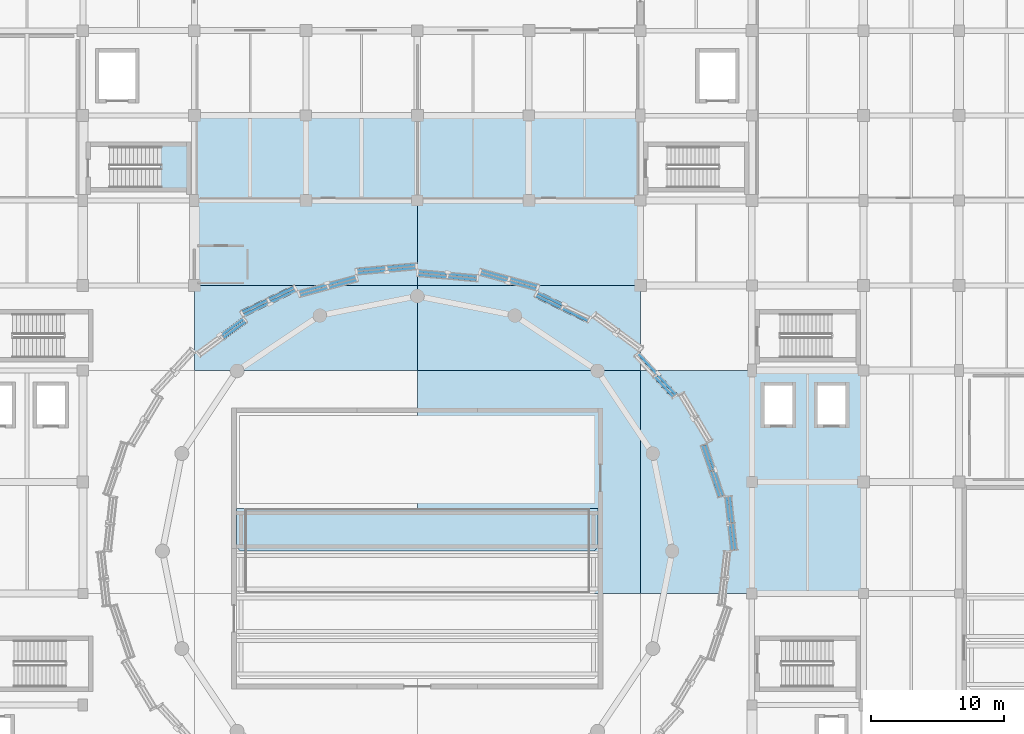
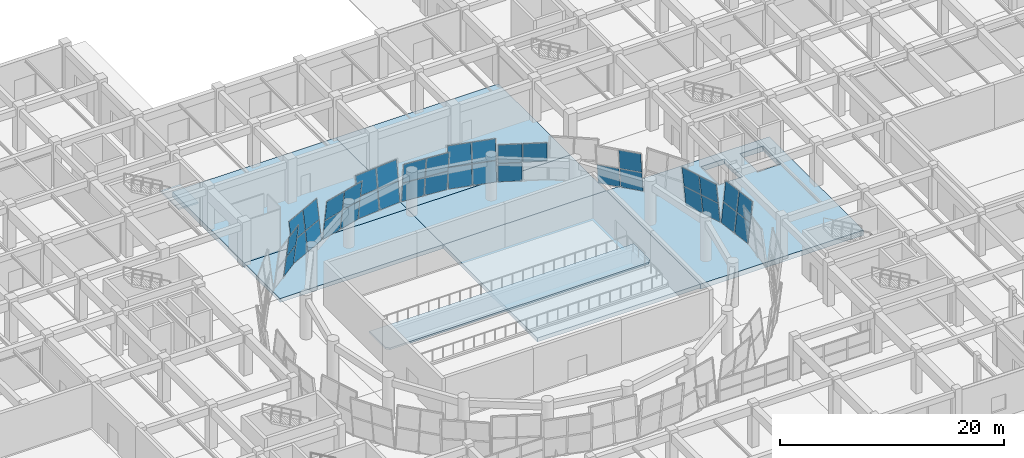
# One storey, part 43 of 72: 36 plates, 8 slabs, 11 elements without a shape of their own.
"""IFC4 building model written with IfcOpenShell, lengths in metres."""

from ifc_helpers import new_model, si_unit, direction, frame, origin, place, context, subcontext, project, spatial, polyline, outline, extrude, material, layer, layer_set, type_object, element, aggregate, save


model = new_model("IFC4")

# Units and contexts
model_context = context("Model", 3, precision=1e-05, world=origin(), true_north=direction((0.0, 1.0)))
body_context = subcontext(model_context, "Body", "Model", "MODEL_VIEW")
ifc_project = project(units=[si_unit("LENGTHUNIT", "METRE"), si_unit("AREAUNIT", "SQUARE_METRE"), si_unit("VOLUMEUNIT", "CUBIC_METRE"), si_unit("PLANEANGLEUNIT", "RADIAN"), si_unit("MASSUNIT", "GRAM", prefix="KILO")], contexts=[model_context])

# Site, building, storey
site_placement = place(None, origin())
site = spatial("IfcSite", under=ifc_project, at=site_placement, CompositionType="ELEMENT")
building_placement = place(site_placement, origin())
building = spatial("IfcBuilding", under=site, at=building_placement, Name="Korsvaeld Concert Hall", CompositionType="ELEMENT")
storey_placement = place(building_placement, origin())
storey = spatial("IfcBuildingStorey", under=building, at=storey_placement, Name="L00", CompositionType="ELEMENT", Elevation=0.0)

# Curtain wall, plates
ifc_material_1 = material(Name="Anodised bronze and ceramic-fritted safety glass", Category="glass")
curtain_wall_type_1 = type_object("IfcCurtainWallType", Name="CW-TYPE-01", PredefinedType="USERDEFINED", material=ifc_material_1)
curtain_wall_1_placement = place(storey_placement, origin())
curtain_wall_1 = element("IfcCurtainWall", 1, at=curtain_wall_1_placement, inside=storey, type_object=curtain_wall_type_1, Name="Crystal curtain-wall facet L00 F01", ObjectType="CURTAIN WALL", PredefinedType="USERDEFINED")
ifc_material_2 = material(Name="Translucent ceramic-fritted crystal safety glass", Category="glass")
ifc_layer_1 = layer(ifc_material_2, 0.035888671875)
ifc_layer_set_1 = layer_set([ifc_layer_1], Name="Translucent ceramic-fritted crystal safety glass")
plate_type = type_object("IfcPlateType", Name="CWP-CRYSTAL-36", PredefinedType="CURTAIN_PANEL", material=ifc_layer_set_1)
plate_1_placement = place(storey_placement, frame((107.5986328125, 63.275146484375, 0.06005859375), z_axis=(0.987654789516, 0.108287642133, -0.113189236708), x_axis=(-0.108988930989, 0.994042963288, -7.69527e-06)))
plate_1 = element("IfcPlate", 2, at=plate_1_placement, type_object=plate_type, Name="CW-CRYS-L00-F01 ceramic-fritted crystal panel 1.1", PredefinedType="CURTAIN_PANEL", context=body_context, shape_type="SweptSolid", body=[
    extrude(outline(polyline([(0.0, 0.0), (1.9677913799325863, 0.0), (1.9627652881831774, 2.1638233711032178), (-0.005242169394013348, 2.1637928881673916), (0.0, 0.0)])), frame((0.0, 0.0, 0.01806640625)), (0.0, 0.0, -1.0), 0.035888671875),
])
plate_2_placement = place(storey_placement, frame((107.849365234375, 63.29736328125, 2.27001953125), z_axis=(0.987654789516, 0.108287642133, -0.113189236708), x_axis=(-0.108987360322, 0.994043135509, 6.174649e-06)))
plate_2 = element("IfcPlate", 3, at=plate_2_placement, type_object=plate_type, Name="CW-CRYS-L00-F01 ceramic-fritted crystal panel 1.2", PredefinedType="CURTAIN_PANEL", context=body_context, shape_type="SweptSolid", body=[
    extrude(outline(polyline([(0.0, 0.0), (1.9677647714985873, 3.469446951953614e-18), (1.9627954941679095, 2.1637959714130712), (-0.005238571885323814, 2.163820430777011), (0.0, 0.0)])), frame((0.0, 0.0, 0.01806640625)), (0.0, 0.0, -1.0), 0.035888671875),
])
plate_3_placement = place(storey_placement, frame((107.3759765625, 65.305908203125, 0.06005859375), z_axis=(0.987654746524, 0.10829439526, -0.113183150799), x_axis=(-0.108995565552, 0.994042235844, -6.934544e-06)))
plate_3 = element("IfcPlate", 4, at=plate_3_placement, type_object=plate_type, Name="CW-CRYS-L00-F01 ceramic-fritted crystal panel 2.1", PredefinedType="CURTAIN_PANEL", context=body_context, shape_type="SweptSolid", body=[
    extrude(outline(polyline([(0.0, 0.0), (1.9677913807868734, 3.469446951953614e-18), (1.9625226028582143, 2.1638203567417276), (-0.005242167683163164, 2.1637928889484397), (0.0, 0.0)])), frame((0.0, 0.0, 0.01806640625)), (0.0, 0.0, -1.0), 0.035888671875),
])
plate_4_placement = place(storey_placement, frame((107.626708984375, 65.328125, 2.27001953125), z_axis=(0.987654746524, 0.10829439526, -0.113183150799), x_axis=(-0.108993995054, 0.994042408046, 6.934638e-06)))
plate_4 = element("IfcPlate", 5, at=plate_4_placement, type_object=plate_type, Name="CW-CRYS-L00-F01 ceramic-fritted crystal panel 2.2", PredefinedType="CURTAIN_PANEL", context=body_context, shape_type="SweptSolid", body=[
    extrude(outline(polyline([(0.0, 0.0), (1.9677647707330874, 0.0), (1.9625528071767997, 2.1637929619124243), (-0.005238573418361289, 2.1638204300771586), (0.0, 0.0)])), frame((0.0, 0.0, 0.01806640625)), (0.0, 0.0, -1.0), 0.035888671875),
])
aggregate(curtain_wall_1, [plate_1, plate_2, plate_3, plate_4])

curtain_wall_type_2 = type_object("IfcCurtainWallType", Name="CW-TYPE-02", PredefinedType="USERDEFINED", material=ifc_material_1)
curtain_wall_2_placement = place(storey_placement, origin())
curtain_wall_2 = element("IfcCurtainWall", 6, at=curtain_wall_2_placement, inside=storey, type_object=curtain_wall_type_2, Name="Crystal curtain-wall facet L00 F02", ObjectType="CURTAIN WALL", PredefinedType="USERDEFINED")
plate_5_placement = place(storey_placement, frame((107.115966796875, 67.4052734375, 0.06005859375), z_axis=(0.94136511925, 0.317900026649, 0.113010111568), x_axis=(-0.319949676143, 0.947434538497, 0.0)))
plate_5 = element("IfcPlate", 7, at=plate_5_placement, type_object=plate_type, Name="CW-CRYS-L00-F02 ceramic-fritted crystal panel 1.1", PredefinedType="CURTAIN_PANEL", context=body_context, shape_type="SweptSolid", body=[
    extrude(outline(polyline([(0.0, 0.0), (1.9862437572585203, 0.0), (2.000791747576604, 2.163763765208145), (0.014547990318083723, 2.163763765208145), (0.0, 0.0)])), frame((0.0, 0.0, 0.01806640625)), (0.0, 0.0, -1.0), 0.035888671875),
])
plate_6_placement = place(storey_placement, frame((106.873046875, 67.3388671875, 2.27001953125), z_axis=(0.941373275649, 0.317882160799, 0.11299242337), x_axis=(-0.319930809544, 0.947440909556, -2.207204e-06)))
plate_6 = element("IfcPlate", 8, at=plate_6_placement, type_object=plate_type, Name="CW-CRYS-L00-F02 ceramic-fritted crystal panel 1.2", PredefinedType="CURTAIN_PANEL", context=body_context, shape_type="SweptSolid", body=[
    extrude(outline(polyline([(0.0, 0.0), (1.9864750656756802, 1.3877787807814457e-17), (2.0010134413787024, 2.1637638294823662), (0.014769684518831823, 2.163755004365257), (0.0, 0.0)])), frame((0.0, 0.0, 0.01806640625)), (0.0, 0.0, -1.0), 0.035888671875),
])
plate_7_placement = place(storey_placement, frame((106.45654296875, 69.358154296875, 0.06005859375), z_axis=(0.94136511925, 0.317900026649, 0.113010111568), x_axis=(-0.319949676143, 0.947434538497, 0.0)))
plate_7 = element("IfcPlate", 9, at=plate_7_placement, type_object=plate_type, Name="CW-CRYS-L00-F02 ceramic-fritted crystal panel 2.1", PredefinedType="CURTAIN_PANEL", context=body_context, shape_type="SweptSolid", body=[
    extrude(outline(polyline([(0.0, 0.0), (1.9862437572585203, 0.0), (2.000791747576604, 2.163763765208145), (0.014547990318083723, 2.163763765208145), (0.0, 0.0)])), frame((0.0, 0.0, 0.01806640625)), (0.0, 0.0, -1.0), 0.035888671875),
])
plate_8_placement = place(storey_placement, frame((106.213623046875, 69.2919921875, 2.27001953125), z_axis=(0.941377899081, 0.317843277421, 0.113063266012), x_axis=(-0.319895213183, 0.947452928931, 6.541284e-06)))
plate_8 = element("IfcPlate", 10, at=plate_8_placement, type_object=plate_type, Name="CW-CRYS-L00-F02 ceramic-fritted crystal panel 2.2", PredefinedType="CURTAIN_PANEL", context=body_context, shape_type="SweptSolid", body=[
    extrude(outline(polyline([(0.0, 0.0), (1.9862437539343323, -1.3877787807814457e-17), (2.00079175092514, 2.163763762111817), (0.014626096408088166, 2.163789914466171), (0.0, 0.0)])), frame((0.0, 0.0, 0.01806640625)), (0.0, 0.0, -1.0), 0.035888671875),
])
aggregate(curtain_wall_2, [plate_5, plate_6, plate_7, plate_8])

curtain_wall_type_3 = type_object("IfcCurtainWallType", Name="CW-TYPE-04", PredefinedType="USERDEFINED", material=ifc_material_1)
curtain_wall_3_placement = place(storey_placement, origin())
curtain_wall_3 = element("IfcCurtainWall", 11, at=curtain_wall_3_placement, inside=storey, type_object=curtain_wall_type_3, Name="Crystal curtain-wall facet L00 F04", ObjectType="CURTAIN WALL", PredefinedType="USERDEFINED")
plate_9_placement = place(storey_placement, frame((103.566650390625, 75.029296875, 0.06005859375), z_axis=(0.733606802617, 0.670175298489, 0.112632714827), x_axis=(-0.674466768313, 0.738305206823, -4.465704e-06)))
plate_9 = element("IfcPlate", 12, at=plate_9_placement, type_object=plate_type, Name="CW-CRYS-L00-F04 ceramic-fritted crystal panel 1.1", PredefinedType="CURTAIN_PANEL", context=body_context, shape_type="SweptSolid", body=[
    extrude(outline(polyline([(0.0, 0.0), (2.0633508471576176, -2.7755575615628914e-17), (2.0889611793207092, 2.1636798381832705), (0.025790582457725728, 2.1636612923465752), (0.0, 0.0)])), frame((0.0, 0.0, 0.01806640625)), (0.0, 0.0, -1.0), 0.035888671875),
])
plate_10_placement = place(storey_placement, frame((103.364013671875, 74.8798828125, 2.27001953125), z_axis=(0.733606802617, 0.670175298489, 0.112632714827), x_axis=(-0.674466768313, 0.738305206823, -4.465704e-06)))
plate_10 = element("IfcPlate", 13, at=plate_10_placement, type_object=plate_type, Name="CW-CRYS-L00-F04 ceramic-fritted crystal panel 1.2", PredefinedType="CURTAIN_PANEL", context=body_context, shape_type="SweptSolid", body=[
    extrude(outline(polyline([(0.0, 0.0), (2.0633508471576176, -2.7755575615628914e-17), (2.0889611793207092, 2.1636798381832705), (0.025790582457725728, 2.1636612923465752), (0.0, 0.0)])), frame((0.0, 0.0, 0.01806640625)), (0.0, 0.0, -1.0), 0.035888671875),
])
plate_11_placement = place(storey_placement, frame((102.12451171875, 76.60791015625, 0.06005859375), z_axis=(0.733581012986, 0.670210524004, 0.112591078246), x_axis=(-0.674499425261, 0.738275372285, 4.22079e-07)))
plate_11 = element("IfcPlate", 14, at=plate_11_placement, type_object=plate_type, Name="CW-CRYS-L00-F04 ceramic-fritted crystal panel 2.1", PredefinedType="CURTAIN_PANEL", context=body_context, shape_type="SweptSolid", body=[
    extrude(outline(polyline([(0.0, 0.0), (2.0635155142750765, 0.0), (2.088982465234002, 2.1636592871370994), (0.025811866680982305, 2.16366104006926), (0.0, 0.0)])), frame((0.0, 0.0, 0.01806640625)), (0.0, 0.0, -1.0), 0.035888671875),
])
aggregate(curtain_wall_3, [plate_9, plate_10, plate_11])

curtain_wall_type_4 = type_object("IfcCurtainWallType", Name="CW-TYPE-06", PredefinedType="USERDEFINED", material=ifc_material_1)
curtain_wall_4_placement = place(storey_placement, origin())
curtain_wall_4 = element("IfcCurtainWall", 15, at=curtain_wall_4_placement, inside=storey, type_object=curtain_wall_type_4, Name="Crystal curtain-wall facet L00 F06", ObjectType="CURTAIN WALL", PredefinedType="USERDEFINED")
plate_12_placement = place(storey_placement, frame((96.91162109375, 80.637451171875, 2.27001953125), z_axis=(0.430001820509, 0.895761924624, 0.11273423949), x_axis=(-0.901508884705, 0.432760592935, 0.0)))
plate_12 = element("IfcPlate", 16, at=plate_12_placement, type_object=plate_type, Name="CW-CRYS-L00-F06 ceramic-fritted crystal panel 1.2", PredefinedType="CURTAIN_PANEL", context=body_context, shape_type="SweptSolid", body=[
    extrude(outline(polyline([(0.0, 0.0), (2.1505286703400395, 0.0), (2.1723632471818055, 2.1636955209431075), (0.021834576841765874, 2.1636955209431075), (0.0, 0.0)])), frame((0.0, 0.0, 0.01806640625)), (0.0, 0.0, -1.0), 0.035888671875),
])
plate_13_placement = place(storey_placement, frame((95.0341796875, 81.817138671875, 0.06005859375), z_axis=(0.430045165703, 0.895734730713, 0.112784961986), x_axis=(-0.901487020426, 0.432806136705, 5.734498e-06)))
plate_13 = element("IfcPlate", 17, at=plate_13_placement, type_object=plate_type, Name="CW-CRYS-L00-F06 ceramic-fritted crystal panel 2.1", PredefinedType="CURTAIN_PANEL", context=body_context, shape_type="SweptSolid", body=[
    extrude(outline(polyline([(0.0, 0.0), (2.1505286675603026, 1.3877787807814457e-17), (2.172363249989765, 2.1636955181238986), (0.0217289168687438, 2.16372034152366), (0.0, 0.0)])), frame((0.0, 0.0, 0.01806640625)), (0.0, 0.0, -1.0), 0.035888671875),
])
plate_14_placement = place(storey_placement, frame((94.9052734375, 81.6005859375, 2.27001953125), z_axis=(0.430093440081, 0.895717809516, 0.112735258524), x_axis=(-0.901464591462, 0.432852850679, 0.0)))
plate_14 = element("IfcPlate", 18, at=plate_14_placement, type_object=plate_type, Name="CW-CRYS-L00-F06 ceramic-fritted crystal panel 2.2", PredefinedType="CURTAIN_PANEL", context=body_context, shape_type="SweptSolid", body=[
    extrude(outline(polyline([(0.0, 0.0), (2.150634336043882, 1.3877787807814457e-17), (2.17244394984622, 2.16369577270949), (0.02180961380233759, 2.16369577270949), (0.0, 0.0)])), frame((0.0, 0.0, 0.01806640625)), (0.0, 0.0, -1.0), 0.035888671875),
])
aggregate(curtain_wall_4, [plate_12, plate_13, plate_14])

curtain_wall_type_5 = type_object("IfcCurtainWallType", Name="CW-TYPE-07", PredefinedType="USERDEFINED", material=ifc_material_1)
curtain_wall_5_placement = place(storey_placement, origin())
curtain_wall_5 = element("IfcCurtainWall", 19, at=curtain_wall_5_placement, inside=storey, type_object=curtain_wall_type_5, Name="Crystal curtain-wall facet L00 F07", ObjectType="CURTAIN WALL", PredefinedType="USERDEFINED")
plate_15_placement = place(storey_placement, frame((92.961181640625, 82.8125, 0.06005859375), z_axis=(0.261201784594, 0.958647792533, -0.112995741501), x_axis=(-0.964827235372, 0.262884776753, -6.060223e-06)))
plate_15 = element("IfcPlate", 20, at=plate_15_placement, type_object=plate_type, Name="CW-CRYS-L00-F07 ceramic-fritted crystal panel 1.1", PredefinedType="CURTAIN_PANEL", context=body_context, shape_type="SweptSolid", body=[
    extrude(outline(polyline([(0.0, 0.0), (2.1819388650395704, 0.0), (2.1673491467316777, 2.163773425437377), (-0.014653899161591636, 2.1637468085057794), (0.0, 0.0)])), frame((0.0, 0.0, 0.01806640625)), (0.0, 0.0, -1.0), 0.035888671875),
])
plate_16_placement = place(storey_placement, frame((93.041748046875, 83.051025390625, 2.27001953125), z_axis=(0.261201784594, 0.958647792533, -0.112995741501), x_axis=(-0.964827235372, 0.262884776753, -6.060223e-06)))
plate_16 = element("IfcPlate", 21, at=plate_16_placement, type_object=plate_type, Name="CW-CRYS-L00-F07 ceramic-fritted crystal panel 1.2", PredefinedType="CURTAIN_PANEL", context=body_context, shape_type="SweptSolid", body=[
    extrude(outline(polyline([(0.0, 0.0), (2.1819388650395704, 0.0), (2.1673491467316777, 2.163773425437377), (-0.014653899161591636, 2.1637468085057794), (0.0, 0.0)])), frame((0.0, 0.0, 0.01806640625)), (0.0, 0.0, -1.0), 0.035888671875),
])
plate_17_placement = place(storey_placement, frame((90.78369140625, 83.40576171875, 0.06005859375), z_axis=(0.261176632504, 0.958648329269, -0.113049314123), x_axis=(-0.964833511963, 0.262861739689, 0.0)))
plate_17 = element("IfcPlate", 22, at=plate_17_placement, type_object=plate_type, Name="CW-CRYS-L00-F07 ceramic-fritted crystal panel 2.1", PredefinedType="CURTAIN_PANEL", context=body_context, shape_type="SweptSolid", body=[
    extrude(outline(polyline([(0.0, 0.0), (2.181703312177269, 0.0), (2.167120782173454, 2.163773477058595), (-0.01458253000381464, 2.163773477058595), (0.0, 0.0)])), frame((0.0, 0.0, 0.01806640625)), (0.0, 0.0, -1.0), 0.035888671875),
])
plate_18_placement = place(storey_placement, frame((90.8642578125, 83.644287109375, 2.27001953125), z_axis=(0.26122997956, 0.958640086728, -0.112995937528), x_axis=(-0.964819139153, 0.262914489306, 6.060661e-06)))
plate_18 = element("IfcPlate", 23, at=plate_18_placement, type_object=plate_type, Name="CW-CRYS-L00-F07 ceramic-fritted crystal panel 2.2", PredefinedType="CURTAIN_PANEL", context=body_context, shape_type="SweptSolid", body=[
    extrude(outline(polyline([(0.0, 0.0), (2.181767496984276, 1.3877787807814457e-17), (2.1671471823736, 2.1637470356953674), (-0.014556126502935354, 2.1637736516768), (0.0, 0.0)])), frame((0.0, 0.0, 0.01806640625)), (0.0, 0.0, -1.0), 0.035888671875),
])
aggregate(curtain_wall_5, [plate_15, plate_16, plate_17, plate_18])

curtain_wall_type_6 = type_object("IfcCurtainWallType", Name="CW-TYPE-08", PredefinedType="USERDEFINED", material=ifc_material_1)
curtain_wall_6_placement = place(storey_placement, origin())
curtain_wall_6 = element("IfcCurtainWall", 24, at=curtain_wall_6_placement, inside=storey, type_object=curtain_wall_type_6, Name="Crystal curtain-wall facet L00 F08", ObjectType="CURTAIN WALL", PredefinedType="USERDEFINED")
plate_19_placement = place(storey_placement, frame((88.528564453125, 83.992431640625, 0.06005859375), z_axis=(0.087551103043, 0.989708121355, 0.113192927695), x_axis=(-0.996110030997, 0.088118137231, -6.22027e-06)))
plate_19 = element("IfcPlate", 25, at=plate_19_placement, type_object=plate_type, Name="CW-CRYS-L00-F08 ceramic-fritted crystal panel 1.1", PredefinedType="CURTAIN_PANEL", context=body_context, shape_type="SweptSolid", body=[
    extrude(outline(polyline([(0.0, 0.0), (2.19850409643599, 6.938893903907228e-18), (2.2035283436841118, 2.1638228803219457), (0.005045760465219488, 2.163795352962052), (0.0, 0.0)])), frame((0.0, 0.0, 0.01806640625)), (0.0, 0.0, -1.0), 0.035888671875),
])
plate_20_placement = place(storey_placement, frame((88.501220703125, 83.7421875, 2.27001953125), z_axis=(0.087546211839, 0.989707994074, 0.113197823562), x_axis=(-0.996110581461, 0.088111914454, 5.670346e-06)))
plate_20 = element("IfcPlate", 26, at=plate_20_placement, type_object=plate_type, Name="CW-CRYS-L00-F08 ceramic-fritted crystal panel 1.2", PredefinedType="CURTAIN_PANEL", context=body_context, shape_type="SweptSolid", body=[
    extrude(outline(polyline([(0.0, 0.0), (2.19848258395253, 0.0), (2.203798628462601, 2.1637977226984138), (0.005051341752279144, 2.1638228178110372), (0.0, 0.0)])), frame((0.0, 0.0, 0.01806640625)), (0.0, 0.0, -1.0), 0.035888671875),
])
plate_21_placement = place(storey_placement, frame((86.263916015625, 84.19287109375, 0.06005859375), z_axis=(0.087551103043, 0.989708121355, 0.113192927695), x_axis=(-0.996110155885, 0.088116725448, 6.22033e-06)))
plate_21 = element("IfcPlate", 27, at=plate_21_placement, type_object=plate_type, Name="CW-CRYS-L00-F08 ceramic-fritted crystal panel 2.1", PredefinedType="CURTAIN_PANEL", context=body_context, shape_type="SweptSolid", body=[
    extrude(outline(polyline([(0.0, 0.0), (2.198482583391229, 3.469446951953614e-18), (2.2035554368946175, 2.1637952896141024), (0.005051340630965451, 2.163822817243362), (0.0, 0.0)])), frame((0.0, 0.0, 0.01806640625)), (0.0, 0.0, -1.0), 0.035888671875),
])
plate_22_placement = place(storey_placement, frame((86.236572265625, 83.942626953125, 2.27001953125), z_axis=(0.08755100451, 0.989707007502, 0.113202742503), x_axis=(-0.996110155896, 0.088116725325, 6.220863e-06)))
plate_22 = element("IfcPlate", 28, at=plate_22_placement, type_object=plate_type, Name="CW-CRYS-L00-F08 ceramic-fritted crystal panel 2.2", PredefinedType="CURTAIN_PANEL", context=body_context, shape_type="SweptSolid", body=[
    extrude(outline(polyline([(0.0, 0.0), (2.1984825833912356, 0.0), (2.2037986290252523, 2.16379772212536), (0.005294532761622831, 2.163825252141504), (0.0, 0.0)])), frame((0.0, 0.0, 0.01806640625)), (0.0, 0.0, -1.0), 0.035888671875),
])
aggregate(curtain_wall_6, [plate_19, plate_20, plate_21, plate_22])

curtain_wall_7_placement = place(storey_placement, origin())
curtain_wall_7 = element("IfcCurtainWall", 29, at=curtain_wall_7_placement, inside=storey, type_object=curtain_wall_type_1, Name="Crystal curtain-wall facet L00 F09", ObjectType="CURTAIN WALL", PredefinedType="USERDEFINED")
plate_23_placement = place(storey_placement, frame((83.924560546875, 84.400146484375, 0.06005859375), z_axis=(-0.08760038906, 0.989696838866, -0.113253428093), x_axis=(-0.996105644409, -0.08816771051, -5.50859e-07)))
plate_23 = element("IfcPlate", 30, at=plate_23_placement, type_object=plate_type, Name="CW-CRYS-L00-F09 ceramic-fritted crystal panel 1.1", PredefinedType="CURTAIN_PANEL", context=body_context, shape_type="SweptSolid", body=[
    extrude(outline(polyline([(0.0, 0.0), (2.198504099729518, 6.938893903907228e-18), (2.203771530133625, 2.1638253216331913), (0.005024240549515399, 2.163822883683815), (0.0, 0.0)])), frame((0.0, 0.0, 0.01806640625)), (0.0, 0.0, -1.0), 0.035888671875),
])
plate_24_placement = place(storey_placement, frame((83.897216796875, 84.650390625, 2.27001953125), z_axis=(-0.087546211839, 0.989707994074, -0.113197823562), x_axis=(-0.996110592494, -0.088111789645, 6.770103e-06)))
plate_24 = element("IfcPlate", 31, at=plate_24_placement, type_object=plate_type, Name="CW-CRYS-L00-F09 ceramic-fritted crystal panel 1.2", PredefinedType="CURTAIN_PANEL", context=body_context, shape_type="SweptSolid", body=[
    extrude(outline(polyline([(0.0, 0.0), (2.1987257750138043, 6.938893903907228e-18), (2.2038010235076455, 2.1637952833748244), (0.005296927889067872, 2.1638252456566085), (0.0, 0.0)])), frame((0.0, 0.0, 0.01806640625)), (0.0, 0.0, -1.0), 0.035888671875),
])
plate_25_placement = place(storey_placement, frame((81.659912109375, 84.19970703125, 0.06005859375), z_axis=(-0.08755100451, 0.989707007502, -0.113202742503), x_axis=(-0.996110155896, -0.088116725325, 6.220863e-06)))
plate_25 = element("IfcPlate", 32, at=plate_25_placement, type_object=plate_type, Name="CW-CRYS-L00-F09 ceramic-fritted crystal panel 2.1", PredefinedType="CURTAIN_PANEL", context=body_context, shape_type="SweptSolid", body=[
    extrude(outline(polyline([(0.0, 0.0), (2.1984825833912356, 0.0), (2.2037986290252523, 2.16379772212536), (0.005294532761622831, 2.163825252141504), (0.0, 0.0)])), frame((0.0, 0.0, 0.01806640625)), (0.0, 0.0, -1.0), 0.035888671875),
])
plate_26_placement = place(storey_placement, frame((81.63232421875, 84.4501953125, 2.27001953125), z_axis=(-0.087606397796, 0.989709556969, -0.113137579566), x_axis=(-0.996105218313, -0.088172524341, 0.0)))
plate_26 = element("IfcPlate", 33, at=plate_26_placement, type_object=plate_type, Name="CW-CRYS-L00-F09 ceramic-fritted crystal panel 2.2", PredefinedType="CURTAIN_PANEL", context=body_context, shape_type="SweptSolid", body=[
    extrude(outline(polyline([(0.0, 0.0), (2.198504099755524, 0.0), (2.2035498668521925, 2.1637953563193695), (0.005045767096668624, 2.1637953563193695), (0.0, 0.0)])), frame((0.0, 0.0, 0.01806640625)), (0.0, 0.0, -1.0), 0.035888671875),
])
aggregate(curtain_wall_7, [plate_23, plate_24, plate_25, plate_26])

curtain_wall_8_placement = place(storey_placement, origin())
curtain_wall_8 = element("IfcCurtainWall", 34, at=curtain_wall_8_placement, inside=storey, type_object=curtain_wall_type_2, Name="Crystal curtain-wall facet L00 F10", ObjectType="CURTAIN WALL", PredefinedType="USERDEFINED")
plate_27_placement = place(storey_placement, frame((79.32568359375, 83.96630859375, 0.06005859375), z_axis=(-0.26122997956, 0.958640086728, 0.112995937528), x_axis=(-0.964819501582, -0.262913159294, -6.060839e-06)))
plate_27 = element("IfcPlate", 35, at=plate_27_placement, type_object=plate_type, Name="CW-CRYS-L00-F10 ceramic-fritted crystal panel 1.1", PredefinedType="CURTAIN_PANEL", context=body_context, shape_type="SweptSolid", body=[
    extrude(outline(polyline([(0.0, 0.0), (2.181703309038888, 0.0), (2.1671207852908574, 2.1637734739363688), (-0.014646711531061306, 2.163746857171867), (0.0, 0.0)])), frame((0.0, 0.0, 0.01806640625)), (0.0, 0.0, -1.0), 0.035888671875),
])
plate_28_placement = place(storey_placement, frame((79.40625, 83.727783203125, 2.27001953125), z_axis=(-0.26122997956, 0.958640086728, 0.112995937528), x_axis=(-0.964819501582, -0.262913159294, -6.060839e-06)))
plate_28 = element("IfcPlate", 36, at=plate_28_placement, type_object=plate_type, Name="CW-CRYS-L00-F10 ceramic-fritted crystal panel 1.2", PredefinedType="CURTAIN_PANEL", context=body_context, shape_type="SweptSolid", body=[
    extrude(outline(polyline([(0.0, 0.0), (2.181703309038888, 0.0), (2.1671207852908574, 2.1637734739363688), (-0.014646711531061306, 2.163746857171867), (0.0, 0.0)])), frame((0.0, 0.0, 0.01806640625)), (0.0, 0.0, -1.0), 0.035888671875),
])
plate_29_placement = place(storey_placement, frame((77.148193359375, 83.373046875, 0.06005859375), z_axis=(-0.261176632504, 0.958648329269, 0.113049314123), x_axis=(-0.964833511963, -0.262861739689, 0.0)))
plate_29 = element("IfcPlate", 37, at=plate_29_placement, type_object=plate_type, Name="CW-CRYS-L00-F10 ceramic-fritted crystal panel 2.1", PredefinedType="CURTAIN_PANEL", context=body_context, shape_type="SweptSolid", body=[
    extrude(outline(polyline([(0.0, 0.0), (2.181703312177269, 0.0), (2.167120782173454, 2.163773477058595), (-0.01458253000381464, 2.163773477058595), (0.0, 0.0)])), frame((0.0, 0.0, 0.01806640625)), (0.0, 0.0, -1.0), 0.035888671875),
])
plate_30_placement = place(storey_placement, frame((77.228759765625, 83.134521484375, 2.27001953125), z_axis=(-0.26122997956, 0.958640086728, 0.112995937528), x_axis=(-0.964819139153, -0.262914489306, 6.060661e-06)))
plate_30 = element("IfcPlate", 38, at=plate_30_placement, type_object=plate_type, Name="CW-CRYS-L00-F10 ceramic-fritted crystal panel 2.2", PredefinedType="CURTAIN_PANEL", context=body_context, shape_type="SweptSolid", body=[
    extrude(outline(polyline([(0.0, 0.0), (2.181767496984276, 1.3877787807814457e-17), (2.1671471823736, 2.1637470356953674), (-0.014556126502935354, 2.1637736516768), (0.0, 0.0)])), frame((0.0, 0.0, 0.01806640625)), (0.0, 0.0, -1.0), 0.035888671875),
])
aggregate(curtain_wall_8, [plate_27, plate_28, plate_29, plate_30])

curtain_wall_type_7 = type_object("IfcCurtainWallType", Name="CW-TYPE-03", PredefinedType="USERDEFINED", material=ifc_material_1)
curtain_wall_9_placement = place(storey_placement, origin())
curtain_wall_9 = element("IfcCurtainWall", 39, at=curtain_wall_9_placement, inside=storey, type_object=curtain_wall_type_7, Name="Crystal curtain-wall facet L00 F11", ObjectType="CURTAIN WALL", PredefinedType="USERDEFINED")
plate_31_placement = place(storey_placement, frame((74.897705078125, 82.759521484375, 0.06005859375), z_axis=(-0.430065975453, 0.895721672941, -0.112809314252), x_axis=(-0.901476522388, -0.432828002227, 8.489532e-06)))
plate_31 = element("IfcPlate", 40, at=plate_31_placement, type_object=plate_type, Name="CW-CRYS-L00-F11 ceramic-fritted crystal panel 1.1", PredefinedType="CURTAIN_PANEL", context=body_context, shape_type="SweptSolid", body=[
    extrude(outline(polyline([(0.0, 0.0), (2.1505286642503827, 0.0), (2.172363253333291, 2.163695514766979), (0.021949005225525803, 2.1637322623317314), (0.0, 0.0)])), frame((0.0, 0.0, 0.01806640625)), (0.0, 0.0, -1.0), 0.035888671875),
])
plate_32_placement = place(storey_placement, frame((74.768798828125, 82.97607421875, 2.27001953125), z_axis=(-0.430093440081, 0.895717809516, -0.112735258524), x_axis=(-0.901464591462, -0.432852850679, 0.0)))
plate_32 = element("IfcPlate", 41, at=plate_32_placement, type_object=plate_type, Name="CW-CRYS-L00-F11 ceramic-fritted crystal panel 1.2", PredefinedType="CURTAIN_PANEL", context=body_context, shape_type="SweptSolid", body=[
    extrude(outline(polyline([(0.0, 0.0), (2.150634336043882, 1.3877787807814457e-17), (2.17244394984622, 2.16369577270949), (0.02180961380233759, 2.16369577270949), (0.0, 0.0)])), frame((0.0, 0.0, 0.01806640625)), (0.0, 0.0, -1.0), 0.035888671875),
])
plate_33_placement = place(storey_placement, frame((72.891357421875, 81.79638671875, 0.06005859375), z_axis=(-0.430045165703, 0.895734730713, -0.112784961986), x_axis=(-0.901486456997, -0.432807310265, -5.734217e-06)))
plate_33 = element("IfcPlate", 42, at=plate_33_placement, type_object=plate_type, Name="CW-CRYS-L00-F11 ceramic-fritted crystal panel 2.1", PredefinedType="CURTAIN_PANEL", context=body_context, shape_type="SweptSolid", body=[
    extrude(outline(polyline([(0.0, 0.0), (2.150634333264282, 0.0), (2.1723382756883742, 2.1637205921825498), (0.021809608271324717, 2.16369577000242), (0.0, 0.0)])), frame((0.0, 0.0, 0.01806640625)), (0.0, 0.0, -1.0), 0.035888671875),
])
plate_34_placement = place(storey_placement, frame((72.762451171875, 82.0126953125, 2.27001953125), z_axis=(-0.430022629866, 0.895748870003, -0.112758590322), x_axis=(-0.901498118034, -0.432783020892, -2.752645e-06)))
plate_34 = element("IfcPlate", 43, at=plate_34_placement, type_object=plate_type, Name="CW-CRYS-L00-F11 ceramic-fritted crystal panel 2.2", PredefinedType="CURTAIN_PANEL", context=body_context, shape_type="SweptSolid", body=[
    extrude(outline(polyline([(0.0, 0.0), (2.150308577352401, 0.0), (2.172351260181477, 2.1637075558964733), (0.02182259051510329, 2.1636956412311825), (0.0, 0.0)])), frame((0.0, 0.0, 0.01806640625)), (0.0, 0.0, -1.0), 0.035888671875),
])
aggregate(curtain_wall_9, [plate_31, plate_32, plate_33, plate_34])

curtain_wall_10_placement = place(storey_placement, origin())
curtain_wall_10 = element("IfcCurtainWall", 44, at=curtain_wall_10_placement, inside=storey, type_object=curtain_wall_type_3, Name="Crystal curtain-wall facet L00 F12", ObjectType="CURTAIN WALL", PredefinedType="USERDEFINED")
plate_35_placement = place(storey_placement, frame((70.832763671875, 80.777587890625, 0.06005859375), z_axis=(-0.589628541717, 0.799782920515, 0.112629760032), x_axis=(-0.804904507896, -0.593404358906, 0.0)))
plate_35 = element("IfcPlate", 45, at=plate_35_placement, type_object=plate_type, Name="CW-CRYS-L00-F12 ceramic-fritted crystal panel 1.1", PredefinedType="CURTAIN_PANEL", context=body_context, shape_type="SweptSolid", body=[
    extrude(outline(polyline([(0.0, 0.0), (2.1089579558479716, 0.0), (2.083272476869437, 2.1636697204112654), (-0.02568547897853471, 2.1636697204112654), (0.0, 0.0)])), frame((0.0, 0.0, 0.01806640625)), (0.0, 0.0, -1.0), 0.035888671875),
])
plate_36_placement = place(storey_placement, frame((71.002685546875, 80.591796875, 2.27001953125), z_axis=(-0.589603322114, 0.799806223238, 0.112596304659), x_axis=(-0.804925146667, -0.593376363068, -3.842251e-06)))
plate_36 = element("IfcPlate", 46, at=plate_36_placement, type_object=plate_type, Name="CW-CRYS-L00-F12 ceramic-fritted crystal panel 1.2", PredefinedType="CURTAIN_PANEL", context=body_context, shape_type="SweptSolid", body=[
    extrude(outline(polyline([(0.0, 0.0), (2.1091544694851594, 0.0), (2.0834522541233937, 2.1636695204675545), (-0.02550570043338004, 2.163653209697853), (0.0, 0.0)])), frame((0.0, 0.0, 0.01806640625)), (0.0, 0.0, -1.0), 0.035888671875),
])
aggregate(curtain_wall_10, [plate_35, plate_36])

# Slabs
ifc_material_3 = material(Name="Concrete C35/45", Category="concrete")
ifc_layer_2 = layer(ifc_material_3, 0.550048828125)
ifc_layer_set_2 = layer_set([ifc_layer_2], Name="Concrete C35/45")
slab_type_1 = type_object("IfcSlabType", Name="SLB-GND-550", PredefinedType="BASESLAB", material=ifc_layer_set_2)
slab_1_placement = place(storey_placement, frame((0.0, 0.0, -0.550048828125)))
element("IfcSlab", 47, at=slab_1_placement, inside=storey, type_object=slab_type_1, Name="Structural slab L00 V1_L00 4.2", PredefinedType="BASESLAB", context=body_context, shape_type="SweptSolid", body=[
    extrude(outline(polyline([(100.800048828125, 60.0), (100.800048828125, 76.800048828125), (117.60009765625, 76.800048828125), (117.60009765625, 60.0), (100.800048828125, 60.0)]), holes=[polyline([(112.39990234375, 75.800048828125), (110.0, 75.800048828125), (110.0, 72.60009765625), (112.39990234375, 72.60009765625), (112.39990234375, 75.800048828125)]), polyline([(116.39990234375, 75.800048828125), (114.0, 75.800048828125), (114.0, 72.60009765625), (116.39990234375, 72.60009765625), (116.39990234375, 75.800048828125)])]), origin(), (0.0, 0.0, 1.0), 0.550048828125),
])
slab_2_placement = place(storey_placement, frame((0.0, 0.0, -0.550048828125)))
element("IfcSlab", 48, at=slab_2_placement, inside=storey, type_object=slab_type_1, Name="Structural slab L00 V5_L00_C 1.1", PredefinedType="BASESLAB", context=body_context, shape_type="SweptSolid", body=[
    extrude(outline(polyline([(67.199951171875, 83.199951171875), (67.199951171875, 96.0), (84.0, 96.0), (84.0, 83.199951171875), (67.199951171875, 83.199951171875)])), origin(), (0.0, 0.0, 1.0), 0.550048828125),
])
slab_3_placement = place(storey_placement, frame((0.0, 0.0, -0.550048828125)))
element("IfcSlab", 49, at=slab_3_placement, inside=storey, type_object=slab_type_1, Name="Structural slab L00 V5_L00_C 2.1", PredefinedType="BASESLAB", context=body_context, shape_type="SweptSolid", body=[
    extrude(outline(polyline([(84.0, 83.199951171875), (84.0, 96.0), (100.800048828125, 96.0), (100.800048828125, 83.199951171875), (84.0, 83.199951171875)])), origin(), (0.0, 0.0, 1.0), 0.550048828125),
])

# Stair, slab
ifc_material_4 = material(Name="Precast concrete C40/50", Category="concrete")
stair_type = type_object("IfcStairType", Name="STR-HT-145-48", PredefinedType="HALF_TURN_STAIR", material=ifc_material_4)
stair_placement = place(storey_placement, origin())
stair = element("IfcStair", 50, at=stair_placement, inside=storey, type_object=stair_type, Name="L00 ST-K5", PredefinedType="HALF_TURN_STAIR")
ifc_layer_3 = layer(ifc_material_4, 0.179931640625)
ifc_layer_set_3 = layer_set([ifc_layer_3], Name="Precast concrete C40/50")
slab_type_2 = type_object("IfcSlabType", Name="SLB-LANDING-180", PredefinedType="LANDING", material=ifc_layer_set_3)
slab_4_placement = place(storey_placement, frame((0.0, 0.0, 2.219970703125)))
slab_4 = element("IfcSlab", 51, at=slab_4_placement, type_object=slab_type_2, Name="ST-K5 landing 1", PredefinedType="LANDING", context=body_context, shape_type="SweptSolid", body=[
    extrude(outline(polyline([(64.659912109375, 90.510009765625), (64.659912109375, 93.72998046875), (66.68994140625, 93.72998046875), (66.68994140625, 90.510009765625), (64.659912109375, 90.510009765625)])), origin(), (0.0, 0.0, 1.0), 0.179931640625),
])
aggregate(stair, [slab_4])

# Slabs
ifc_material_5 = material(Name="Concrete C40/50", Category="concrete")
ifc_layer_4 = layer(ifc_material_5, 0.419921875)
ifc_layer_set_4 = layer_set([ifc_layer_4], Name="Concrete C40/50")
slab_type_3 = type_object("IfcSlabType", Name="SLB-STG-420", PredefinedType="FLOOR", material=ifc_layer_set_4)
slab_5_placement = place(storey_placement, frame((0.0, 0.0, -0.419921875)))
element("IfcSlab", 52, at=slab_5_placement, inside=storey, type_object=slab_type_3, Name="Structural slab L00 V1_L00 2.3", PredefinedType="FLOOR", context=body_context, shape_type="SweptSolid", body=[
    extrude(outline(polyline([(67.199951171875, 76.800048828125), (67.199951171875, 83.199951171875), (84.0, 83.199951171875), (84.0, 76.800048828125), (67.199951171875, 76.800048828125)])), origin(), (0.0, 0.0, 1.0), 0.419921875),
])
slab_6_placement = place(storey_placement, frame((0.0, 0.0, -0.419921875)))
element("IfcSlab", 53, at=slab_6_placement, inside=storey, type_object=slab_type_3, Name="Structural slab L00 V1_L00 3.2", PredefinedType="FLOOR", context=body_context, shape_type="SweptSolid", body=[
    extrude(outline(polyline([(84.0, 60.0), (84.0, 76.800048828125), (100.800048828125, 76.800048828125), (100.800048828125, 60.0), (84.0, 60.0)])), origin(), (0.0, 0.0, 1.0), 0.419921875),
])
slab_7_placement = place(storey_placement, frame((0.0, 0.0, -0.419921875)))
element("IfcSlab", 54, at=slab_7_placement, inside=storey, type_object=slab_type_3, Name="Structural slab L00 V1_L00 3.3", PredefinedType="FLOOR", context=body_context, shape_type="SweptSolid", body=[
    extrude(outline(polyline([(84.0, 76.800048828125), (84.0, 83.199951171875), (100.800048828125, 83.199951171875), (100.800048828125, 76.800048828125), (84.0, 76.800048828125)])), origin(), (0.0, 0.0, 1.0), 0.419921875),
])
ifc_layer_5 = layer(ifc_material_4, 0.199951171875)
ifc_layer_set_5 = layer_set([ifc_layer_5], Name="Precast concrete C40/50")
slab_type_4 = type_object("IfcSlabType", Name="SLB-TIER-200", PredefinedType="USERDEFINED", material=ifc_layer_set_5)
slab_8_placement = place(storey_placement, frame((0.0, 0.0, 1.449951171875)))
element("IfcSlab", 55, at=slab_8_placement, inside=storey, type_object=slab_type_4, Name="Auditorium seating tier V1-STALL-T4", ObjectType="SEATING TIER", PredefinedType="USERDEFINED", context=body_context, shape_type="SweptSolid", body=[
    extrude(outline(polyline([(70.3798828125, 63.5), (70.679931640625, 63.199951171875), (97.320068359375, 63.199951171875), (97.6201171875, 63.5), (97.6201171875, 66.39990234375), (70.3798828125, 66.39990234375), (70.3798828125, 63.5)])), origin(), (0.0, 0.0, 1.0), 0.199951171875),
])

save(model, "model.ifc")
